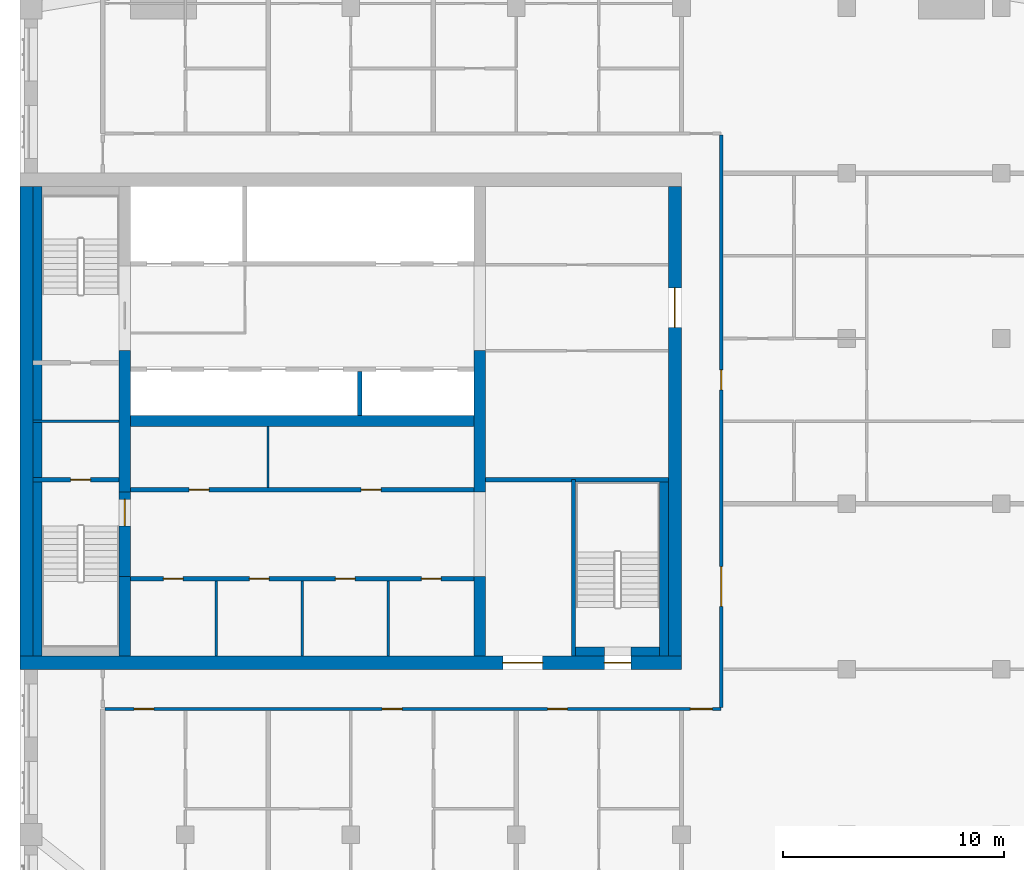
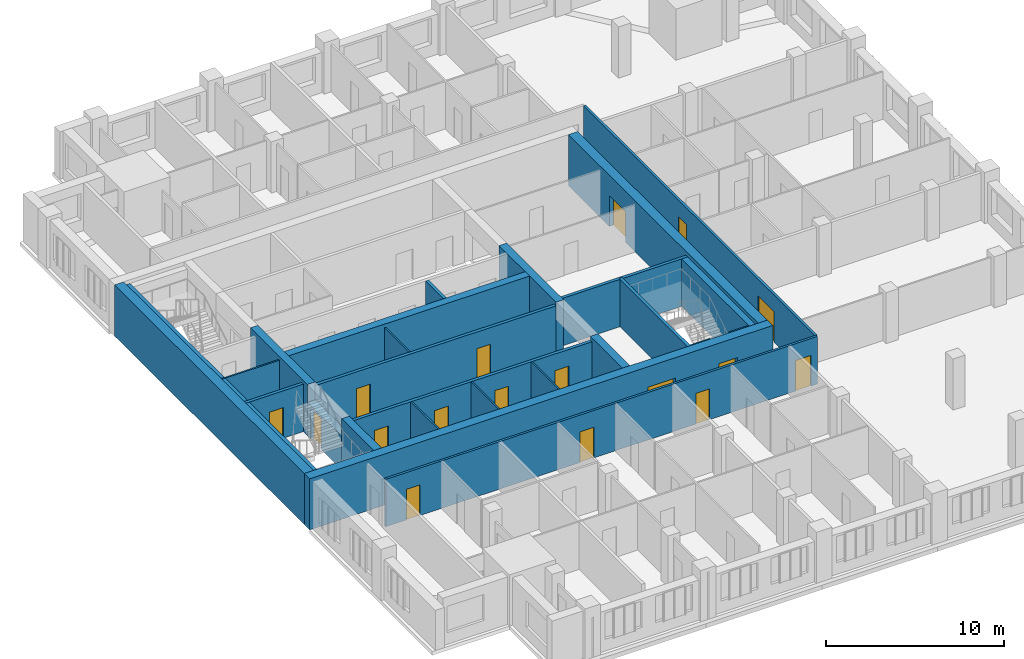
# One storey, part 4 of 11: 26 walls, 17 doors, 17 openings.
"""IFC4 building model written with IfcOpenShell, lengths in metres."""

from ifc_helpers import new_model, si_unit, direction, frame, frame_2d, origin, place, context, subcontext, project, spatial, rectangle, extrude, material, layer, layer_set, type_object, element, fill, save


model = new_model("IFC4")

# Units and contexts
model_context = context("Model", 3, precision=1e-05, world=origin(), true_north=direction((0.0, 1.0)))
body_context = subcontext(model_context, "Body", "Model", "MODEL_VIEW")
ifc_project = project(units=[si_unit("LENGTHUNIT", "METRE"), si_unit("AREAUNIT", "SQUARE_METRE"), si_unit("VOLUMEUNIT", "CUBIC_METRE"), si_unit("PLANEANGLEUNIT", "RADIAN"), si_unit("MASSUNIT", "GRAM", prefix="KILO")], contexts=[model_context])

# Site, building, storey
site_placement = place(None, origin())
site = spatial("IfcSite", under=ifc_project, at=site_placement, CompositionType="ELEMENT")
building_placement = place(site_placement, origin())
building = spatial("IfcBuilding", under=site, at=building_placement, Name="Tamorin Gate", CompositionType="ELEMENT")
storey_placement = place(building_placement, frame((0.0, 0.0, 244.199951171875)))
storey = spatial("IfcBuildingStorey", under=building, at=storey_placement, Name="L61", CompositionType="ELEMENT", Elevation=244.199951171875)

# Wall, openings, doors
ifc_material_1 = material(Name="Gypsum board partition")
ifc_layer_1 = layer(ifc_material_1, 0.14990234375)
ifc_layer_set_1 = layer_set([ifc_layer_1], Name="Corridor wall 150")
wall_type_1 = type_object("IfcWallType", Name="Corridor wall 150", PredefinedType="PARTITIONING", material=ifc_layer_set_1)
wall_1_placement = place(storey_placement, frame((33.85009765625, 58.199951171875, 0.0), z_axis=(0.0, 0.0, 1.0), x_axis=(1.0, 0.0, 0.0)))
wall_1 = element("IfcWall", 1, at=wall_1_placement, inside=storey, type_object=wall_type_1, Name="Corridor wall 150", PredefinedType="PARTITIONING", context=body_context, shape_type="SweptSolid", body=[
    extrude(rectangle(XDim=27.949951171875, YDim=0.14990234375, at=frame_2d((13.97509765625, 0.0))), origin(), (0.0, 0.0, 1.0), 3.25),
])
opening_1_placement = place(wall_1_placement, frame((1.324951171875, 0.0, 0.0)))
opening_1 = element("IfcOpeningElement", 2, at=opening_1_placement, cuts=wall_1, Name="Opening DR7002", PredefinedType="OPENING", context=body_context, shape_type="SweptSolid", body=[
    extrude(rectangle(XDim=0.89990234375, YDim=2.10009765625, at=frame_2d((0.449951171875, 1.050048828125))), frame((0.0, 0.0849609375, 0.0), z_axis=(0.0, -1.0, 0.0), x_axis=(1.0, 0.0, 0.0)), (0.0, 0.0, 1.0), 0.169921875),
])
opening_2_placement = place(wall_1_placement, frame((12.574951171875, 0.0, 0.0)))
opening_2 = element("IfcOpeningElement", 3, at=opening_2_placement, cuts=wall_1, Name="Opening DR7009", PredefinedType="OPENING", context=body_context, shape_type="SweptSolid", body=[
    extrude(rectangle(XDim=0.89990234375, YDim=2.10009765625, at=frame_2d((0.449951171875, 1.050048828125))), frame((0.0, 0.0849609375, 0.0), z_axis=(0.0, -1.0, 0.0), x_axis=(1.0, 0.0, 0.0)), (0.0, 0.0, 1.0), 0.169921875),
])
opening_3_placement = place(wall_1_placement, frame((20.074951171875, 0.0, 0.0)))
opening_3 = element("IfcOpeningElement", 4, at=opening_3_placement, cuts=wall_1, Name="Opening DR7015", PredefinedType="OPENING", context=body_context, shape_type="SweptSolid", body=[
    extrude(rectangle(XDim=0.89990234375, YDim=2.10009765625, at=frame_2d((0.449951171875, 1.050048828125))), frame((0.0, 0.0849609375, 0.0), z_axis=(0.0, -1.0, 0.0), x_axis=(1.0, 0.0, 0.0)), (0.0, 0.0, 1.0), 0.169921875),
])
opening_4_placement = place(wall_1_placement, frame((26.550048828125, 0.0, 0.0)))
opening_4 = element("IfcOpeningElement", 5, at=opening_4_placement, cuts=wall_1, Name="Opening DR7020", PredefinedType="OPENING", context=body_context, shape_type="SweptSolid", body=[
    extrude(rectangle(XDim=1.0, YDim=2.10009765625, at=frame_2d((0.5, 1.050048828125))), frame((0.0, 0.0849609375, 0.0), z_axis=(0.0, -1.0, 0.0), x_axis=(1.0, 0.0, 0.0)), (0.0, 0.0, 1.0), 0.169921875),
])
ifc_material_2 = material(Name="Timber door leaf", Category="wood")
door_type_1 = type_object("IfcDoorType", Name="Door 1000 x 2100 FD30S", OperationType="NOTDEFINED", PredefinedType="DOOR", material=ifc_material_2)
door_1_placement = place(opening_4_placement, origin())
door_1 = element("IfcDoor", 6, at=door_1_placement, inside=storey, type_object=door_type_1, Name="Door DR7020", OperationType="SINGLE_SWING_RIGHT", OverallHeight=2.10009765625, OverallWidth=1.0, PredefinedType="DOOR", context=body_context, shape_type="SweptSolid", body=[
    extrude(rectangle(XDim=1.0, YDim=2.10009765625, at=frame_2d((0.5, 1.050048828125))), frame((0.0, 0.02490234375, 0.0), z_axis=(0.0, -1.0, 0.0), x_axis=(1.0, 0.0, 0.0)), (0.0, 0.0, 1.0), 0.050048828125),
])
fill(opening_4, door_1)
door_type_2 = type_object("IfcDoorType", Name="Door 900 x 2100 FD30S", OperationType="NOTDEFINED", PredefinedType="DOOR", material=ifc_material_2)
door_2_placement = place(opening_1_placement, origin())
door_2 = element("IfcDoor", 7, at=door_2_placement, inside=storey, type_object=door_type_2, Name="Door DR7002", OperationType="SINGLE_SWING_RIGHT", OverallHeight=2.10009765625, OverallWidth=0.89990234375, PredefinedType="DOOR", context=body_context, shape_type="SweptSolid", body=[
    extrude(rectangle(XDim=0.89990234375, YDim=2.10009765625, at=frame_2d((0.449951171875, 1.050048828125))), frame((0.0, 0.02490234375, 0.0), z_axis=(0.0, -1.0, 0.0), x_axis=(1.0, 0.0, 0.0)), (0.0, 0.0, 1.0), 0.050048828125),
])
fill(opening_1, door_2)
door_3_placement = place(opening_2_placement, origin())
door_3 = element("IfcDoor", 8, at=door_3_placement, inside=storey, type_object=door_type_2, Name="Door DR7009", OperationType="SINGLE_SWING_RIGHT", OverallHeight=2.10009765625, OverallWidth=0.89990234375, PredefinedType="DOOR", context=body_context, shape_type="SweptSolid", body=[
    extrude(rectangle(XDim=0.89990234375, YDim=2.10009765625, at=frame_2d((0.449951171875, 1.050048828125))), frame((0.0, 0.02490234375, 0.0), z_axis=(0.0, -1.0, 0.0), x_axis=(1.0, 0.0, 0.0)), (0.0, 0.0, 1.0), 0.050048828125),
])
fill(opening_2, door_3)
door_4_placement = place(opening_3_placement, origin())
door_4 = element("IfcDoor", 9, at=door_4_placement, inside=storey, type_object=door_type_2, Name="Door DR7015", OperationType="SINGLE_SWING_RIGHT", OverallHeight=2.10009765625, OverallWidth=0.89990234375, PredefinedType="DOOR", context=body_context, shape_type="SweptSolid", body=[
    extrude(rectangle(XDim=0.89990234375, YDim=2.10009765625, at=frame_2d((0.449951171875, 1.050048828125))), frame((0.0, 0.02490234375, 0.0), z_axis=(0.0, -1.0, 0.0), x_axis=(1.0, 0.0, 0.0)), (0.0, 0.0, 1.0), 0.050048828125),
])
fill(opening_3, door_4)

wall_2_placement = place(storey_placement, frame((61.800048828125, 58.27490234375, 0.0), z_axis=(0.0, 0.0, 1.0), x_axis=(0.0, 1.0, 0.0)))
wall_2 = element("IfcWall", 10, at=wall_2_placement, inside=storey, type_object=wall_type_1, Name="Corridor wall 150", PredefinedType="PARTITIONING", context=body_context, shape_type="SweptSolid", body=[
    extrude(rectangle(XDim=25.9501953125, YDim=0.14990234375, at=frame_2d((12.97509765625, 0.0))), origin(), (0.0, 0.0, 1.0), 3.25),
])
opening_5_placement = place(wall_2_placement, frame((4.574951171875, 0.0, 0.0)))
opening_5 = element("IfcOpeningElement", 11, at=opening_5_placement, cuts=wall_2, Name="Opening DR7041", PredefinedType="OPENING", context=body_context, shape_type="SweptSolid", body=[
    extrude(rectangle(XDim=1.800048828125, YDim=2.10009765625, at=frame_2d((0.89990234375, 1.050048828125))), frame((0.0, 0.0849609375, 0.0), z_axis=(0.0, -1.0, 0.0), x_axis=(1.0, 0.0, 0.0)), (0.0, 0.0, 1.0), 0.169921875),
])
opening_6_placement = place(wall_2_placement, frame((14.39990234375, 0.0, 0.0)))
opening_6 = element("IfcOpeningElement", 12, at=opening_6_placement, cuts=wall_2, Name="Opening DR7044", PredefinedType="OPENING", context=body_context, shape_type="SweptSolid", body=[
    extrude(rectangle(XDim=0.89990234375, YDim=2.10009765625, at=frame_2d((0.449951171875, 1.050048828125))), frame((0.0, 0.0849609375, 0.0), z_axis=(0.0, -1.0, 0.0), x_axis=(1.0, 0.0, 0.0)), (0.0, 0.0, 1.0), 0.169921875),
])
door_type_3 = type_object("IfcDoorType", Name="Door 1800 x 2100 FD30S", OperationType="DOUBLE_DOOR_SINGLE_SWING", PredefinedType="DOOR", material=ifc_material_2)
door_5_placement = place(opening_5_placement, origin())
door_5 = element("IfcDoor", 13, at=door_5_placement, inside=storey, type_object=door_type_3, Name="Door DR7041", OperationType="DOUBLE_DOOR_SINGLE_SWING", OverallHeight=2.10009765625, OverallWidth=1.800048828125, PredefinedType="DOOR", context=body_context, shape_type="SweptSolid", body=[
    extrude(rectangle(XDim=1.800048828125, YDim=2.10009765625, at=frame_2d((0.89990234375, 1.050048828125))), frame((0.0, 0.02490234375, 0.0), z_axis=(0.0, -1.0, 0.0), x_axis=(1.0, 0.0, 0.0)), (0.0, 0.0, 1.0), 0.050048828125),
])
fill(opening_5, door_5)
door_6_placement = place(opening_6_placement, origin())
door_6 = element("IfcDoor", 14, at=door_6_placement, inside=storey, type_object=door_type_2, Name="Door DR7044", OperationType="SINGLE_SWING_RIGHT", OverallHeight=2.10009765625, OverallWidth=0.89990234375, PredefinedType="DOOR", context=body_context, shape_type="SweptSolid", body=[
    extrude(rectangle(XDim=0.89990234375, YDim=2.10009765625, at=frame_2d((0.449951171875, 1.050048828125))), frame((0.0, 0.02490234375, 0.0), z_axis=(0.0, -1.0, 0.0), x_axis=(1.0, 0.0, 0.0)), (0.0, 0.0, 1.0), 0.050048828125),
])
fill(opening_6, door_6)

# Walls
ifc_material_3 = material(Name="Concrete C32/40", Category="concrete")
ifc_layer_2 = layer(ifc_material_3, 0.199951171875)
ifc_layer_set_2 = layer_set([ifc_layer_2], Name="Lift shaft wall 200 EI 120")
wall_type_2 = type_object("IfcWallType", Name="Lift shaft wall 200 EI 120", PredefinedType="SOLIDWALL", material=ifc_layer_set_2)
wall_3_placement = place(storey_placement, frame((45.39990234375, 71.5, 0.0), z_axis=(0.0, 0.0, 1.0), x_axis=(0.0, 1.0, 0.0)))
element("IfcWall", 15, at=wall_3_placement, inside=storey, type_object=wall_type_2, Name="Lift shaft wall", PredefinedType="SOLIDWALL", context=body_context, shape_type="SweptSolid", body=[
    extrude(rectangle(XDim=2.0, YDim=0.199951171875, at=frame_2d((1.0, 0.0))), origin(), (0.0, 0.0, 1.0), 3.5),
])
ifc_material_4 = material(Name="Concrete C50/60", Category="concrete")
ifc_layer_3 = layer(ifc_material_4, 0.5)
ifc_layer_set_3 = layer_set([ifc_layer_3], Name="RC core internal wall 500 C50/60")
wall_type_3 = type_object("IfcWallType", Name="RC core internal wall 500 C50/60", PredefinedType="SHEAR", material=ifc_layer_set_3)
wall_4_placement = place(storey_placement, frame((35.0, 71.25, 0.0), z_axis=(0.0, 0.0, 1.0), x_axis=(1.0, 0.0, 0.0)))
element("IfcWall", 16, at=wall_4_placement, inside=storey, type_object=wall_type_3, Name="Core spine wall L61", PredefinedType="SHEAR", context=body_context, shape_type="SweptSolid", body=[
    extrude(rectangle(XDim=15.60009765625, YDim=0.5, at=frame_2d((7.800048828125, 0.0))), origin(), (0.0, 0.0, 1.0), 3.5),
])
wall_5_placement = place(storey_placement, frame((34.75, 60.60009765625, 0.0), z_axis=(0.0, 0.0, 1.0), x_axis=(0.0, 1.0, 0.0)))
element("IfcWall", 17, at=wall_5_placement, inside=storey, type_object=wall_type_3, Name="Core cross wall L61", PredefinedType="SHEAR", context=body_context, shape_type="SweptSolid", body=[
    extrude(rectangle(XDim=3.599853515625, YDim=0.5, at=frame_2d((1.7998046875, 0.0))), origin(), (0.0, 0.0, 1.0), 3.5),
])
wall_6_placement = place(storey_placement, frame((34.75, 68.050048828125, 0.0), z_axis=(0.0, 0.0, 1.0), x_axis=(0.0, 1.0, 0.0)))
element("IfcWall", 18, at=wall_6_placement, inside=storey, type_object=wall_type_3, Name="Core cross wall L61", PredefinedType="SHEAR", context=body_context, shape_type="SweptSolid", body=[
    extrude(rectangle(XDim=6.39990234375, YDim=0.5, at=frame_2d((3.199951171875, 0.0))), origin(), (0.0, 0.0, 1.0), 3.5),
])
wall_7_placement = place(storey_placement, frame((50.85009765625, 60.60009765625, 0.0), z_axis=(0.0, 0.0, 1.0), x_axis=(0.0, 1.0, 0.0)))
element("IfcWall", 19, at=wall_7_placement, inside=storey, type_object=wall_type_3, Name="Core cross wall L61", PredefinedType="SHEAR", context=body_context, shape_type="SweptSolid", body=[
    extrude(rectangle(XDim=3.599853515625, YDim=0.5, at=frame_2d((1.7998046875, 0.0))), origin(), (0.0, 0.0, 1.0), 3.5),
])
wall_8_placement = place(storey_placement, frame((50.85009765625, 68.050048828125, 0.0), z_axis=(0.0, 0.0, 1.0), x_axis=(0.0, 1.0, 0.0)))
element("IfcWall", 20, at=wall_8_placement, inside=storey, type_object=wall_type_3, Name="Core cross wall L61", PredefinedType="SHEAR", context=body_context, shape_type="SweptSolid", body=[
    extrude(rectangle(XDim=6.39990234375, YDim=0.5, at=frame_2d((3.199951171875, 0.0))), origin(), (0.0, 0.0, 1.0), 3.5),
])

# Wall, openings, doors
ifc_layer_4 = layer(ifc_material_4, 0.60009765625)
ifc_layer_set_4 = layer_set([ifc_layer_4], Name="RC core wall 600 C50/60")
wall_type_4 = type_object("IfcWallType", Name="RC core wall 600 C50/60", PredefinedType="SHEAR", material=ifc_layer_set_4)
wall_9_placement = place(storey_placement, frame((30.0, 60.300048828125, 0.0), z_axis=(0.0, 0.0, 1.0), x_axis=(1.0, 0.0, 0.0)))
wall_9 = element("IfcWall", 21, at=wall_9_placement, inside=storey, type_object=wall_type_4, Name="Core wall L61", PredefinedType="SHEAR", context=body_context, shape_type="SweptSolid", body=[
    extrude(rectangle(XDim=30.0, YDim=0.60009765625, at=frame_2d((15.0, 0.0))), origin(), (0.0, 0.0, 1.0), 3.5),
])
opening_7_placement = place(wall_9_placement, frame((21.89990234375, 0.0, 0.0)))
opening_7 = element("IfcOpeningElement", 22, at=opening_7_placement, cuts=wall_9, Name="Opening DE1", PredefinedType="OPENING", context=body_context, shape_type="SweptSolid", body=[
    extrude(rectangle(XDim=1.800048828125, YDim=2.10009765625, at=frame_2d((0.89990234375, 1.050048828125))), frame((0.0, 0.31005859375, 0.0), z_axis=(0.0, -1.0, 0.0), x_axis=(1.0, 0.0, 0.0)), (0.0, 0.0, 1.0), 0.6201171875),
])
opening_8_placement = place(wall_9_placement, frame((26.5, 0.0, 0.0)))
opening_8 = element("IfcOpeningElement", 23, at=opening_8_placement, cuts=wall_9, Name="Opening DS1", PredefinedType="OPENING", context=body_context, shape_type="SweptSolid", body=[
    extrude(rectangle(XDim=1.199951171875, YDim=2.10009765625, at=frame_2d((0.60009765625, 1.050048828125))), frame((0.0, 0.31005859375, 0.0), z_axis=(0.0, -1.0, 0.0), x_axis=(1.0, 0.0, 0.0)), (0.0, 0.0, 1.0), 0.6201171875),
])
ifc_material_5 = material(Name="Steel fire door", Category="steel")
door_type_4 = type_object("IfcDoorType", Name="Lobby exit double door 1800 x 2100 EI 60", OperationType="DOUBLE_DOOR_SINGLE_SWING", PredefinedType="DOOR", material=ifc_material_5)
door_7_placement = place(opening_7_placement, origin())
door_7 = element("IfcDoor", 24, at=door_7_placement, inside=storey, type_object=door_type_4, Name="Lift lobby A exit door", OperationType="DOUBLE_DOOR_SINGLE_SWING", OverallHeight=2.10009765625, OverallWidth=1.800048828125, PredefinedType="DOOR", context=body_context, shape_type="SweptSolid", body=[
    extrude(rectangle(XDim=1.800048828125, YDim=2.10009765625, at=frame_2d((0.89990234375, 1.050048828125))), frame((0.0, 0.02490234375, 0.0), z_axis=(0.0, -1.0, 0.0), x_axis=(1.0, 0.0, 0.0)), (0.0, 0.0, 1.0), 0.050048828125),
])
fill(opening_7, door_7)
door_type_5 = type_object("IfcDoorType", Name="Stair door 1200 x 2100 EI 90", OperationType="SINGLE_SWING_LEFT", PredefinedType="DOOR", material=ifc_material_5)
door_8_placement = place(opening_8_placement, origin())
door_8 = element("IfcDoor", 25, at=door_8_placement, inside=storey, type_object=door_type_5, Name="ST3 door", OperationType="SINGLE_SWING_LEFT", OverallHeight=2.10009765625, OverallWidth=1.199951171875, PredefinedType="DOOR", context=body_context, shape_type="SweptSolid", body=[
    extrude(rectangle(XDim=1.199951171875, YDim=2.10009765625, at=frame_2d((0.60009765625, 1.050048828125))), frame((0.0, 0.02490234375, 0.0), z_axis=(0.0, -1.0, 0.0), x_axis=(1.0, 0.0, 0.0)), (0.0, 0.0, 1.0), 0.050048828125),
])
fill(opening_8, door_8)

# Wall
wall_10_placement = place(storey_placement, frame((30.300048828125, 60.60009765625, 0.0), z_axis=(0.0, 0.0, 1.0), x_axis=(0.0, 1.0, 0.0)))
element("IfcWall", 26, at=wall_10_placement, inside=storey, type_object=wall_type_4, Name="Core wall L61", PredefinedType="SHEAR", context=body_context, shape_type="SweptSolid", body=[
    extrude(rectangle(XDim=21.2998046875, YDim=0.60009765625, at=frame_2d((10.64990234375, 0.0))), origin(), (0.0, 0.0, 1.0), 3.5),
])

# Wall, opening, door
wall_11_placement = place(storey_placement, frame((59.699951171875, 60.60009765625, 0.0), z_axis=(0.0, 0.0, 1.0), x_axis=(0.0, 1.0, 0.0)))
wall_11 = element("IfcWall", 27, at=wall_11_placement, inside=storey, type_object=wall_type_4, Name="Core wall L61", PredefinedType="SHEAR", context=body_context, shape_type="SweptSolid", body=[
    extrude(rectangle(XDim=21.2998046875, YDim=0.60009765625, at=frame_2d((10.64990234375, 0.0))), origin(), (0.0, 0.0, 1.0), 3.5),
])
opening_9_placement = place(wall_11_placement, frame((14.89990234375, 0.0, 0.0)))
opening_9 = element("IfcOpeningElement", 28, at=opening_9_placement, cuts=wall_11, Name="Opening DE1", PredefinedType="OPENING", context=body_context, shape_type="SweptSolid", body=[
    extrude(rectangle(XDim=1.800048828125, YDim=2.10009765625, at=frame_2d((0.89990234375, 1.050048828125))), frame((0.0, 0.31005859375, 0.0), z_axis=(0.0, -1.0, 0.0), x_axis=(1.0, 0.0, 0.0)), (0.0, 0.0, 1.0), 0.6201171875),
])
door_9_placement = place(opening_9_placement, origin())
door_9 = element("IfcDoor", 29, at=door_9_placement, inside=storey, type_object=door_type_4, Name="Lift lobby B exit door", OperationType="DOUBLE_DOOR_SINGLE_SWING", OverallHeight=2.10009765625, OverallWidth=1.800048828125, PredefinedType="DOOR", context=body_context, shape_type="SweptSolid", body=[
    extrude(rectangle(XDim=1.800048828125, YDim=2.10009765625, at=frame_2d((0.89990234375, 1.050048828125))), frame((0.0, 0.02490234375, 0.0), z_axis=(0.0, -1.0, 0.0), x_axis=(1.0, 0.0, 0.0)), (0.0, 0.0, 1.0), 0.050048828125),
])
fill(opening_9, door_9)

# Wall
ifc_material_6 = material(Name="Fire-rated gypsum board partition")
ifc_layer_5 = layer(ifc_material_6, 0.10009765625)
ifc_layer_set_5 = layer_set([ifc_layer_5], Name="Riser partition 100 EI 120")
wall_type_5 = type_object("IfcWallType", Name="Riser partition 100 EI 120", PredefinedType="PARTITIONING", material=ifc_layer_set_5)
wall_12_placement = place(storey_placement, frame((30.60009765625, 71.25, 0.0), z_axis=(0.0, 0.0, 1.0), x_axis=(1.0, 0.0, 0.0)))
element("IfcWall", 30, at=wall_12_placement, inside=storey, type_object=wall_type_5, Name="Riser partition", PredefinedType="PARTITIONING", context=body_context, shape_type="SweptSolid", body=[
    extrude(rectangle(XDim=3.89990234375, YDim=0.10009765625, at=frame_2d((1.949951171875, 0.0))), origin(), (0.0, 0.0, 1.0), 3.25),
])

# Wall, openings, doors
ifc_layer_6 = layer(ifc_material_1, 0.199951171875)
ifc_layer_set_6 = layer_set([ifc_layer_6], Name="Service room face wall 200 EI 60")
wall_type_6 = type_object("IfcWallType", Name="Service room face wall 200 EI 60", PredefinedType="PARTITIONING", material=ifc_layer_set_6)
wall_13_placement = place(storey_placement, frame((35.0, 64.10009765625, 0.0), z_axis=(0.0, 0.0, 1.0), x_axis=(1.0, 0.0, 0.0)))
wall_13 = element("IfcWall", 31, at=wall_13_placement, inside=storey, type_object=wall_type_6, Name="Service room face wall", PredefinedType="PARTITIONING", context=body_context, shape_type="SweptSolid", body=[
    extrude(rectangle(XDim=15.60009765625, YDim=0.199951171875, at=frame_2d((7.800048828125, 0.0))), origin(), (0.0, 0.0, 1.0), 3.25),
])
opening_10_placement = place(wall_13_placement, frame((1.5, 0.0, 0.0)))
opening_10 = element("IfcOpeningElement", 32, at=opening_10_placement, cuts=wall_13, Name="Opening DK1", PredefinedType="OPENING", context=body_context, shape_type="SweptSolid", body=[
    extrude(rectangle(XDim=0.89990234375, YDim=2.10009765625, at=frame_2d((0.449951171875, 1.050048828125))), frame((0.0, 0.10986328125, 0.0), z_axis=(0.0, -1.0, 0.0), x_axis=(1.0, 0.0, 0.0)), (0.0, 0.0, 1.0), 0.219970703125),
])
opening_11_placement = place(wall_13_placement, frame((5.39990234375, 0.0, 0.0)))
opening_11 = element("IfcOpeningElement", 33, at=opening_11_placement, cuts=wall_13, Name="Opening DK1", PredefinedType="OPENING", context=body_context, shape_type="SweptSolid", body=[
    extrude(rectangle(XDim=0.89990234375, YDim=2.10009765625, at=frame_2d((0.449951171875, 1.050048828125))), frame((0.0, 0.10986328125, 0.0), z_axis=(0.0, -1.0, 0.0), x_axis=(1.0, 0.0, 0.0)), (0.0, 0.0, 1.0), 0.219970703125),
])
opening_12_placement = place(wall_13_placement, frame((9.300048828125, 0.0, 0.0)))
opening_12 = element("IfcOpeningElement", 34, at=opening_12_placement, cuts=wall_13, Name="Opening DK1", PredefinedType="OPENING", context=body_context, shape_type="SweptSolid", body=[
    extrude(rectangle(XDim=0.89990234375, YDim=2.10009765625, at=frame_2d((0.449951171875, 1.050048828125))), frame((0.0, 0.10986328125, 0.0), z_axis=(0.0, -1.0, 0.0), x_axis=(1.0, 0.0, 0.0)), (0.0, 0.0, 1.0), 0.219970703125),
])
opening_13_placement = place(wall_13_placement, frame((13.199951171875, 0.0, 0.0)))
opening_13 = element("IfcOpeningElement", 35, at=opening_13_placement, cuts=wall_13, Name="Opening DK1", PredefinedType="OPENING", context=body_context, shape_type="SweptSolid", body=[
    extrude(rectangle(XDim=0.89990234375, YDim=2.10009765625, at=frame_2d((0.449951171875, 1.050048828125))), frame((0.0, 0.10986328125, 0.0), z_axis=(0.0, -1.0, 0.0), x_axis=(1.0, 0.0, 0.0)), (0.0, 0.0, 1.0), 0.219970703125),
])
ifc_material_7 = material(Name="Timber fire door", Category="wood")
door_type_6 = type_object("IfcDoorType", Name="Service room door 900 x 2100 EI 60", OperationType="SINGLE_SWING_LEFT", PredefinedType="DOOR", material=ifc_material_7)
door_10_placement = place(opening_10_placement, origin())
door_10 = element("IfcDoor", 36, at=door_10_placement, inside=storey, type_object=door_type_6, Name="Door Linen store", OperationType="SINGLE_SWING_LEFT", OverallHeight=2.10009765625, OverallWidth=0.89990234375, PredefinedType="DOOR", context=body_context, shape_type="SweptSolid", body=[
    extrude(rectangle(XDim=0.89990234375, YDim=2.10009765625, at=frame_2d((0.449951171875, 1.050048828125))), frame((0.0, 0.02490234375, 0.0), z_axis=(0.0, -1.0, 0.0), x_axis=(1.0, 0.0, 0.0)), (0.0, 0.0, 1.0), 0.050048828125),
])
fill(opening_10, door_10)
door_11_placement = place(opening_11_placement, origin())
door_11 = element("IfcDoor", 37, at=door_11_placement, inside=storey, type_object=door_type_6, Name="Door Pantry", OperationType="SINGLE_SWING_RIGHT", OverallHeight=2.10009765625, OverallWidth=0.89990234375, PredefinedType="DOOR", context=body_context, shape_type="SweptSolid", body=[
    extrude(rectangle(XDim=0.89990234375, YDim=2.10009765625, at=frame_2d((0.449951171875, 1.050048828125))), frame((0.0, 0.02490234375, 0.0), z_axis=(0.0, -1.0, 0.0), x_axis=(1.0, 0.0, 0.0)), (0.0, 0.0, 1.0), 0.050048828125),
])
fill(opening_11, door_11)
door_12_placement = place(opening_12_placement, origin())
door_12 = element("IfcDoor", 38, at=door_12_placement, inside=storey, type_object=door_type_6, Name="Door Valet room", OperationType="SINGLE_SWING_LEFT", OverallHeight=2.10009765625, OverallWidth=0.89990234375, PredefinedType="DOOR", context=body_context, shape_type="SweptSolid", body=[
    extrude(rectangle(XDim=0.89990234375, YDim=2.10009765625, at=frame_2d((0.449951171875, 1.050048828125))), frame((0.0, 0.02490234375, 0.0), z_axis=(0.0, -1.0, 0.0), x_axis=(1.0, 0.0, 0.0)), (0.0, 0.0, 1.0), 0.050048828125),
])
fill(opening_12, door_12)
door_13_placement = place(opening_13_placement, origin())
door_13 = element("IfcDoor", 39, at=door_13_placement, inside=storey, type_object=door_type_6, Name="Door Luggage store", OperationType="SINGLE_SWING_RIGHT", OverallHeight=2.10009765625, OverallWidth=0.89990234375, PredefinedType="DOOR", context=body_context, shape_type="SweptSolid", body=[
    extrude(rectangle(XDim=0.89990234375, YDim=2.10009765625, at=frame_2d((0.449951171875, 1.050048828125))), frame((0.0, 0.02490234375, 0.0), z_axis=(0.0, -1.0, 0.0), x_axis=(1.0, 0.0, 0.0)), (0.0, 0.0, 1.0), 0.050048828125),
])
fill(opening_13, door_13)

wall_14_placement = place(storey_placement, frame((35.0, 68.14990234375, 0.0), z_axis=(0.0, 0.0, 1.0), x_axis=(1.0, 0.0, 0.0)))
wall_14 = element("IfcWall", 40, at=wall_14_placement, inside=storey, type_object=wall_type_6, Name="Service room face wall", PredefinedType="PARTITIONING", context=body_context, shape_type="SweptSolid", body=[
    extrude(rectangle(XDim=15.60009765625, YDim=0.199951171875, at=frame_2d((7.800048828125, 0.0))), origin(), (0.0, 0.0, 1.0), 3.25),
])
opening_14_placement = place(wall_14_placement, frame((2.675048828125, 0.0, 0.0)))
opening_14 = element("IfcOpeningElement", 41, at=opening_14_placement, cuts=wall_14, Name="Opening DK1", PredefinedType="OPENING", context=body_context, shape_type="SweptSolid", body=[
    extrude(rectangle(XDim=0.89990234375, YDim=2.10009765625, at=frame_2d((0.449951171875, 1.050048828125))), frame((0.0, 0.10986328125, 0.0), z_axis=(0.0, -1.0, 0.0), x_axis=(1.0, 0.0, 0.0)), (0.0, 0.0, 1.0), 0.219970703125),
])
opening_15_placement = place(wall_14_placement, frame((10.47509765625, 0.0, 0.0)))
opening_15 = element("IfcOpeningElement", 42, at=opening_15_placement, cuts=wall_14, Name="Opening DK1", PredefinedType="OPENING", context=body_context, shape_type="SweptSolid", body=[
    extrude(rectangle(XDim=0.89990234375, YDim=2.10009765625, at=frame_2d((0.449951171875, 1.050048828125))), frame((0.0, 0.10986328125, 0.0), z_axis=(0.0, -1.0, 0.0), x_axis=(1.0, 0.0, 0.0)), (0.0, 0.0, 1.0), 0.219970703125),
])
door_14_placement = place(opening_14_placement, origin())
door_14 = element("IfcDoor", 43, at=door_14_placement, inside=storey, type_object=door_type_6, Name="Door Valet room", OperationType="SINGLE_SWING_LEFT", OverallHeight=2.10009765625, OverallWidth=0.89990234375, PredefinedType="DOOR", context=body_context, shape_type="SweptSolid", body=[
    extrude(rectangle(XDim=0.89990234375, YDim=2.10009765625, at=frame_2d((0.449951171875, 1.050048828125))), frame((0.0, 0.02490234375, 0.0), z_axis=(0.0, -1.0, 0.0), x_axis=(1.0, 0.0, 0.0)), (0.0, 0.0, 1.0), 0.050048828125),
])
fill(opening_14, door_14)
door_15_placement = place(opening_15_placement, origin())
door_15 = element("IfcDoor", 44, at=door_15_placement, inside=storey, type_object=door_type_6, Name="Door Electrical and IT room", OperationType="SINGLE_SWING_RIGHT", OverallHeight=2.10009765625, OverallWidth=0.89990234375, PredefinedType="DOOR", context=body_context, shape_type="SweptSolid", body=[
    extrude(rectangle(XDim=0.89990234375, YDim=2.10009765625, at=frame_2d((0.449951171875, 1.050048828125))), frame((0.0, 0.02490234375, 0.0), z_axis=(0.0, -1.0, 0.0), x_axis=(1.0, 0.0, 0.0)), (0.0, 0.0, 1.0), 0.050048828125),
])
fill(opening_15, door_15)

# Walls
ifc_layer_7 = layer(ifc_material_1, 0.10009765625)
ifc_layer_set_7 = layer_set([ifc_layer_7], Name="Service room partition 100 EI 60")
wall_type_7 = type_object("IfcWallType", Name="Service room partition 100 EI 60", PredefinedType="PARTITIONING", material=ifc_layer_set_7)
for number, where, z_axis, x_axis, name in (
    (45, (38.89990234375, 60.60009765625, 0.0), (0.0, 0.0, 1.0), (0.0, 1.0, 0.0), "Service room partition"),
    (46, (42.800048828125, 60.60009765625, 0.0), (0.0, 0.0, 1.0), (0.0, 1.0, 0.0), "Service room partition"),
    (47, (46.699951171875, 60.60009765625, 0.0), (0.0, 0.0, 1.0), (0.0, 1.0, 0.0), "Service room partition"),
):
    element("IfcWall", number, at=place(storey_placement, frame(where, z_axis=z_axis, x_axis=x_axis)), inside=storey, type_object=wall_type_7, Name=name, PredefinedType="PARTITIONING", context=body_context, shape_type="SweptSolid", body=[
        extrude(rectangle(XDim=3.39990234375, YDim=0.10009765625, at=frame_2d((1.699951171875, 0.0))), origin(), (0.0, 0.0, 1.0), 3.25),
    ])
wall_15_placement = place(storey_placement, frame((41.25, 68.25, 0.0), z_axis=(0.0, 0.0, 1.0), x_axis=(0.0, 1.0, 0.0)))
element("IfcWall", 48, at=wall_15_placement, inside=storey, type_object=wall_type_7, Name="Service room partition", PredefinedType="PARTITIONING", context=body_context, shape_type="SweptSolid", body=[
    extrude(rectangle(XDim=2.75, YDim=0.10009765625, at=frame_2d((1.375, 0.0))), origin(), (0.0, 0.0, 1.0), 3.25),
])

# Wall, opening, door
ifc_material_8 = material(Name="Concrete C40/50", Category="concrete")
ifc_layer_8 = layer(ifc_material_8, 0.199951171875)
ifc_layer_set_8 = layer_set([ifc_layer_8], Name="Stair enclosure wall 200 EI 120 C40/50")
wall_type_8 = type_object("IfcWallType", Name="Stair enclosure wall 200 EI 120 C40/50", PredefinedType="SOLIDWALL", material=ifc_layer_set_8)
wall_16_placement = place(storey_placement, frame((30.60009765625, 68.60009765625, 0.0), z_axis=(0.0, 0.0, 1.0), x_axis=(1.0, 0.0, 0.0)))
wall_16 = element("IfcWall", 49, at=wall_16_placement, inside=storey, type_object=wall_type_8, Name="Stair enclosure wall", PredefinedType="SOLIDWALL", context=body_context, shape_type="SweptSolid", body=[
    extrude(rectangle(XDim=3.89990234375, YDim=0.199951171875, at=frame_2d((1.949951171875, 0.0))), origin(), (0.0, 0.0, 1.0), 3.25),
])
opening_16_placement = place(wall_16_placement, frame((1.699951171875, 0.0, 0.0)))
opening_16 = element("IfcOpeningElement", 50, at=opening_16_placement, cuts=wall_16, Name="Opening DR1", PredefinedType="OPENING", context=body_context, shape_type="SweptSolid", body=[
    extrude(rectangle(XDim=0.89990234375, YDim=2.10009765625, at=frame_2d((0.449951171875, 1.050048828125))), frame((0.0, 0.10986328125, 0.0), z_axis=(0.0, -1.0, 0.0), x_axis=(1.0, 0.0, 0.0)), (0.0, 0.0, 1.0), 0.219970703125),
])
door_type_7 = type_object("IfcDoorType", Name="Riser access door 900 x 2100 EI 120", OperationType="SINGLE_SWING_LEFT", PredefinedType="DOOR", material=ifc_material_5)
door_16_placement = place(opening_16_placement, origin())
door_16 = element("IfcDoor", 51, at=door_16_placement, inside=storey, type_object=door_type_7, Name="Electrical riser door", OperationType="SINGLE_SWING_LEFT", OverallHeight=2.10009765625, OverallWidth=0.89990234375, PredefinedType="DOOR", context=body_context, shape_type="SweptSolid", body=[
    extrude(rectangle(XDim=0.89990234375, YDim=2.10009765625, at=frame_2d((0.449951171875, 1.050048828125))), frame((0.0, 0.02490234375, 0.0), z_axis=(0.0, -1.0, 0.0), x_axis=(1.0, 0.0, 0.0)), (0.0, 0.0, 1.0), 0.050048828125),
])
fill(opening_16, door_16)

# Walls
wall_17_placement = place(storey_placement, frame((55.10009765625, 60.60009765625, 0.0), z_axis=(0.0, 0.0, 1.0), x_axis=(0.0, 1.0, 0.0)))
element("IfcWall", 52, at=wall_17_placement, inside=storey, type_object=wall_type_8, Name="Stair enclosure wall", PredefinedType="SOLIDWALL", context=body_context, shape_type="SweptSolid", body=[
    extrude(rectangle(XDim=8.0, YDim=0.199951171875, at=frame_2d((4.0, 0.0))), origin(), (0.0, 0.0, 1.0), 3.25),
])
wall_18_placement = place(storey_placement, frame((51.10009765625, 68.60009765625, 0.0), z_axis=(0.0, 0.0, 1.0), x_axis=(1.0, 0.0, 0.0)))
element("IfcWall", 53, at=wall_18_placement, inside=storey, type_object=wall_type_8, Name="Stair enclosure wall", PredefinedType="SOLIDWALL", context=body_context, shape_type="SweptSolid", body=[
    extrude(rectangle(XDim=8.2998046875, YDim=0.199951171875, at=frame_2d((4.14990234375, 0.0))), origin(), (0.0, 0.0, 1.0), 3.25),
])
ifc_layer_9 = layer(ifc_material_4, 0.39990234375)
ifc_layer_set_9 = layer_set([ifc_layer_9], Name="Stair lining wall 400 EI 120 C50/60")
wall_type_9 = type_object("IfcWallType", Name="Stair lining wall 400 EI 120 C50/60", PredefinedType="SOLIDWALL", material=ifc_layer_set_9)
wall_19_placement = place(storey_placement, frame((30.800048828125, 60.60009765625, 0.0), z_axis=(0.0, 0.0, 1.0), x_axis=(0.0, 1.0, 0.0)))
element("IfcWall", 54, at=wall_19_placement, inside=storey, type_object=wall_type_9, Name="Stair lining wall", PredefinedType="SOLIDWALL", context=body_context, shape_type="SweptSolid", body=[
    extrude(rectangle(XDim=21.2998046875, YDim=0.39990234375, at=frame_2d((10.64990234375, 0.0))), origin(), (0.0, 0.0, 1.0), 3.25),
])
for number, where, z_axis, x_axis, name in (
    (55, (55.199951171875, 60.800048828125, 0.0), (0.0, 0.0, 1.0), (1.0, 0.0, 0.0), "Stair lining wall"),
    (56, (57.699951171875, 60.800048828125, 0.0), (0.0, 0.0, 1.0), (1.0, 0.0, 0.0), "Stair lining wall"),
):
    element("IfcWall", number, at=place(storey_placement, frame(where, z_axis=z_axis, x_axis=x_axis)), inside=storey, type_object=wall_type_9, Name=name, PredefinedType="SOLIDWALL", context=body_context, shape_type="SweptSolid", body=[
        extrude(rectangle(XDim=1.300048828125, YDim=0.39990234375, at=frame_2d((0.64990234375, 0.0))), origin(), (0.0, 0.0, 1.0), 3.25),
    ])
wall_20_placement = place(storey_placement, frame((59.199951171875, 60.60009765625, 0.0), z_axis=(0.0, 0.0, 1.0), x_axis=(0.0, 1.0, 0.0)))
element("IfcWall", 57, at=wall_20_placement, inside=storey, type_object=wall_type_9, Name="Stair lining wall", PredefinedType="SOLIDWALL", context=body_context, shape_type="SweptSolid", body=[
    extrude(rectangle(XDim=7.89990234375, YDim=0.39990234375, at=frame_2d((3.949951171875, 0.0))), origin(), (0.0, 0.0, 1.0), 3.25),
])

# Wall, opening, door
ifc_layer_10 = layer(ifc_material_3, 0.5)
ifc_layer_set_10 = layer_set([ifc_layer_10], Name="Stair lobby infill wall 500 EI 120")
wall_type_10 = type_object("IfcWallType", Name="Stair lobby infill wall 500 EI 120", PredefinedType="SOLIDWALL", material=ifc_layer_set_10)
wall_21_placement = place(storey_placement, frame((34.75, 64.199951171875, 0.0), z_axis=(0.0, 0.0, 1.0), x_axis=(0.0, 1.0, 0.0)))
wall_21 = element("IfcWall", 58, at=wall_21_placement, inside=storey, type_object=wall_type_10, Name="Stair lobby infill wall", PredefinedType="SOLIDWALL", context=body_context, shape_type="SweptSolid", body=[
    extrude(rectangle(XDim=3.85009765625, YDim=0.5, at=frame_2d((1.925048828125, 0.0))), origin(), (0.0, 0.0, 1.0), 2.300048828125),
])
opening_17_placement = place(wall_21_placement, frame((2.300048828125, 0.0, 0.0)))
opening_17 = element("IfcOpeningElement", 59, at=opening_17_placement, cuts=wall_21, Name="Opening DS1", PredefinedType="OPENING", context=body_context, shape_type="SweptSolid", body=[
    extrude(rectangle(XDim=1.199951171875, YDim=2.10009765625, at=frame_2d((0.60009765625, 1.050048828125))), frame((0.0, 0.260009765625, 0.0), z_axis=(0.0, -1.0, 0.0), x_axis=(1.0, 0.0, 0.0)), (0.0, 0.0, 1.0), 0.52001953125),
])
door_17_placement = place(opening_17_placement, origin())
door_17 = element("IfcDoor", 60, at=door_17_placement, inside=storey, type_object=door_type_5, Name="ST1 door", OperationType="SINGLE_SWING_LEFT", OverallHeight=2.10009765625, OverallWidth=1.199951171875, PredefinedType="DOOR", context=body_context, shape_type="SweptSolid", body=[
    extrude(rectangle(XDim=1.199951171875, YDim=2.10009765625, at=frame_2d((0.60009765625, 1.050048828125))), frame((0.0, 0.02490234375, 0.0), z_axis=(0.0, -1.0, 0.0), x_axis=(1.0, 0.0, 0.0)), (0.0, 0.0, 1.0), 0.050048828125),
])
fill(opening_17, door_17)

save(model, "model.ifc")
